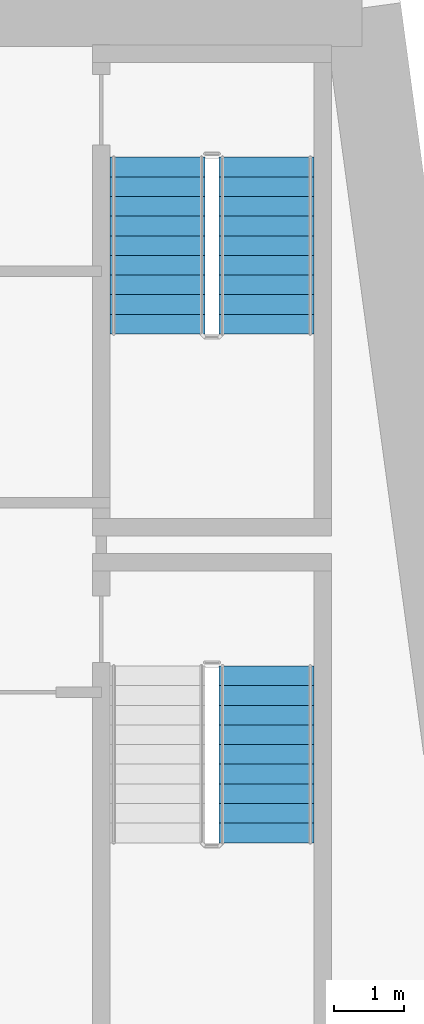
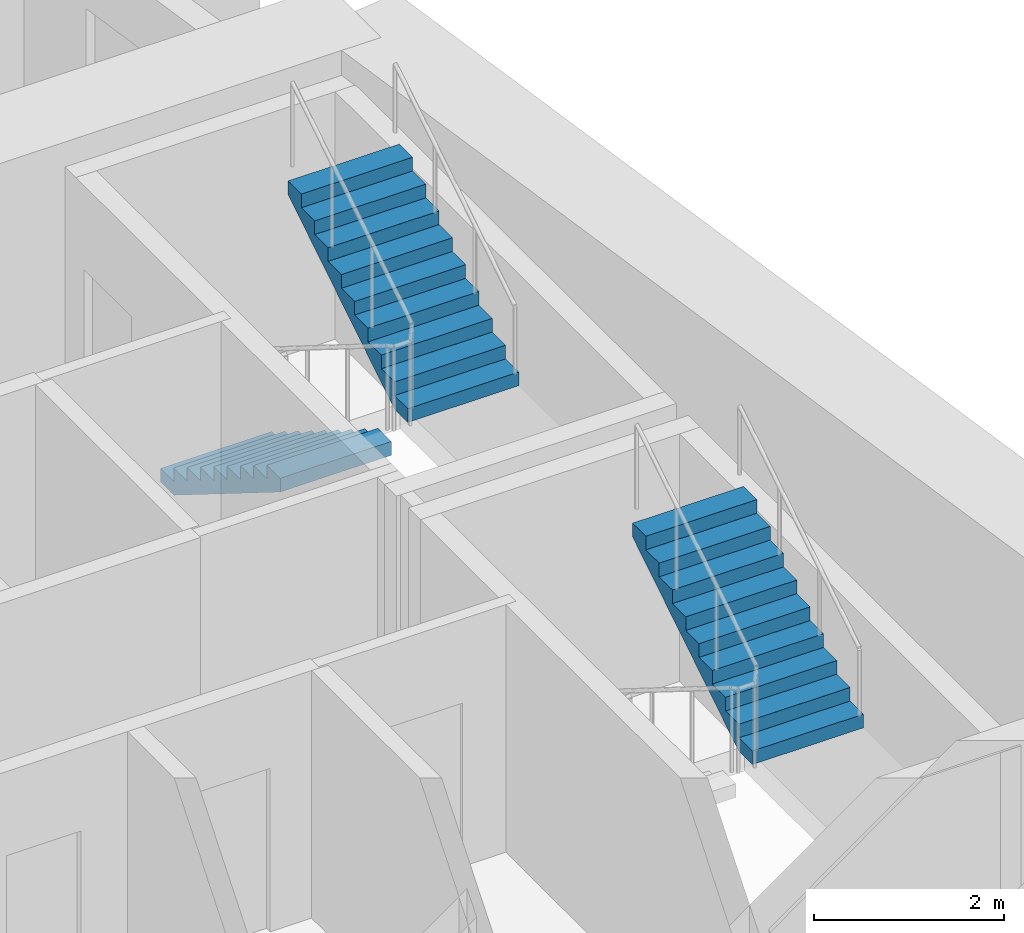
# One storey, part 8 of 13: 3 stair flights, 2 elements without a shape of their own.
"""IFC4 building model written with IfcOpenShell, lengths in metres."""

import ifcopenshell
import ifcopenshell.guid

model = None  # the IFC model being written
_history = None  # IfcOwnerHistory: only IFC2X3 demands one
_inside = {}  # id of a spatial element -> (the spatial element, [elements in it])
_under = {}  # id of a project, library or spatial element -> (it, [spatial elements below it])
_declared = {}  # id of a project -> (the project, [libraries it declares])
_typed = {}  # id of a type object -> (the type object, [elements of that type])
_made_of = {}  # id of a material, layer set ... -> (it, [elements and type objects made of it])


def new_model(schema):
    """Start an empty IFC model of exactly this schema.

    Asked for "IFC4X3", IfcOpenShell would pick the latest addendum, in which some entities
    have other attributes; the version numbers below select the first issue.
    IFC2X3 requires an IfcOwnerHistory on every rooted entity: one is made here for all.
    """
    global model, _history
    if schema == "IFC4X3":
        model = ifcopenshell.file(schema_version=(4, 3, 0, 0))
    else:
        model = ifcopenshell.file(schema=schema)
    _inside.clear()
    _under.clear()
    _declared.clear()
    _typed.clear()
    _made_of.clear()
    _history = None
    if model.schema == "IFC2X3":
        org = make("IfcOrganization", Name="unknown")
        user = make(
            "IfcPersonAndOrganization",
            ThePerson=make("IfcPerson", FamilyName="unknown"),
            TheOrganization=org,
        )
        app = make(
            "IfcApplication",
            ApplicationDeveloper=org,
            Version="unknown",
            ApplicationFullName="unknown",
            ApplicationIdentifier="unknown",
        )
        _history = make(
            "IfcOwnerHistory",
            OwningUser=user,
            OwningApplication=app,
            ChangeAction="ADDED",
            CreationDate=0,
        )
    return model


def make(cls, **values):
    """One entity of the class cls with the attributes given. An attribute that is None is left unset."""
    return model.create_entity(
        cls, **{name: value for name, value in values.items() if value is not None}
    )


def rooted(cls, **values):
    """An entity with a GlobalId (a new one), such as an element, a storey or a relation."""
    return make(cls, GlobalId=ifcopenshell.guid.new(), OwnerHistory=_history, **values)


def si_unit(unit_type, name, prefix=None):
    """IfcSIUnit, for example si_unit("LENGTHUNIT", "METRE", prefix="MILLI")."""
    return make("IfcSIUnit", UnitType=unit_type, Prefix=prefix, Name=name)


def assignment(units):
    """IfcUnitAssignment: the units of a project."""
    return None if units is None else make("IfcUnitAssignment", Units=units)


def point(xyz):
    """IfcCartesianPoint."""
    return None if xyz is None else make("IfcCartesianPoint", Coordinates=xyz)


def direction(xyz):
    """IfcDirection."""
    return None if xyz is None else make("IfcDirection", DirectionRatios=xyz)


def frame(location, z_axis=None, x_axis=None):
    """IfcAxis2Placement3D, a coordinate frame: its origin and axes. An axis left out is left unset."""
    return make(
        "IfcAxis2Placement3D",
        Location=point(location),
        Axis=direction(z_axis),
        RefDirection=direction(x_axis),
    )


def origin():
    """The frame at (0, 0, 0) with its axes left unset."""
    return frame((0.0, 0.0, 0.0))


def place(relative_to, where):
    """IfcLocalPlacement: puts the frame where relative to a parent placement (None: the world)."""
    return make(
        "IfcLocalPlacement", PlacementRelTo=relative_to, RelativePlacement=where
    )


def context(
    kind, dimensions, precision=None, world=None, true_north=None, identifier=None
):
    """IfcGeometricRepresentationContext, for example the 3D "Model" context."""
    return make(
        "IfcGeometricRepresentationContext",
        ContextIdentifier=identifier,
        ContextType=kind,
        CoordinateSpaceDimension=dimensions,
        Precision=precision,
        WorldCoordinateSystem=world,
        TrueNorth=true_north,
    )


def subcontext(parent, identifier, kind, view, scale=None):
    """IfcGeometricRepresentationSubContext, for example "Body" below "Model"."""
    return make(
        "IfcGeometricRepresentationSubContext",
        ContextIdentifier=identifier,
        ContextType=kind,
        ParentContext=parent,
        TargetScale=scale,
        TargetView=view,
    )


def project(units=None, contexts=None):
    """IfcProject with its units and contexts."""
    return rooted(
        "IfcProject",
        Name="project",
        RepresentationContexts=contexts,
        UnitsInContext=assignment(units),
    )


def spatial(cls, under=None, at=None, **own):
    """A site, building, storey or space (cls), placed at a placement, below another one or the project."""
    s = rooted(cls, ObjectPlacement=at, **own)
    if under is not None:
        _under.setdefault(under.id(), (under, []))[1].append(s)
    return s


def polyline(points):
    """IfcPolyline through the points."""
    return make("IfcPolyline", Points=[point(p) for p in points])


def outline(outer, holes=None, kind="AREA"):
    """IfcArbitraryClosedProfileDef: a profile drawn as a closed curve; with holes, ...WithVoids."""
    if holes is None:
        return make("IfcArbitraryClosedProfileDef", ProfileType=kind, OuterCurve=outer)
    return make(
        "IfcArbitraryProfileDefWithVoids",
        ProfileType=kind,
        OuterCurve=outer,
        InnerCurves=holes,
    )


def extrude(swept, where, along, depth):
    """IfcExtrudedAreaSolid: the profile swept, set in the frame where, extruded along a direction by depth."""
    return make(
        "IfcExtrudedAreaSolid",
        SweptArea=swept,
        Position=where,
        ExtrudedDirection=direction(along),
        Depth=depth,
    )


def shape(context_of_items, identifier, shape_type, items):
    """IfcShapeRepresentation: the items that make up one representation, for example the "Body"."""
    return make(
        "IfcShapeRepresentation",
        ContextOfItems=context_of_items,
        RepresentationIdentifier=identifier,
        RepresentationType=shape_type,
        Items=items,
    )


def material(Name=None, Category=None):
    """IfcMaterial."""
    return make("IfcMaterial", Name=Name, Category=Category)


def made_of(thing, what):
    """Note that an element or type object is made of a material, layer set ...; save() writes the relation."""
    if what is not None:
        _made_of.setdefault(what.id(), (what, []))[1].append(thing)
    return thing


def type_object(cls, material=None, **own):
    """A type object (cls), such as IfcWallType, which elements share."""
    return made_of(rooted(cls, **own), material)


def element(
    cls,
    number,
    at=None,
    inside=None,
    cuts=None,
    type_object=None,
    material=None,
    context=None,
    identifier="Body",
    shape_type=None,
    held_by="IfcProductDefinitionShape",
    body=None,
    shapes=None,
    **own,
):
    """One element of the class cls, such as IfcWall. Its Tag is "e" and its number.

    at: its placement. inside: the storey or other place that contains it. cuts: it is an
    opening in that element (IfcRelVoidsElement). A single representation is given by context,
    identifier, shape_type and body (its items); several are given by shapes. held_by: the class
    of the entity that holds the representations. save() writes the other relations.
    """
    e = rooted(cls, Tag="e%d" % number, ObjectPlacement=at, **own)
    if body is not None:
        shapes = [shape(context, identifier, shape_type, body)]
    if shapes is not None:
        e.Representation = make(held_by, Representations=shapes)
    if inside is not None:
        _inside.setdefault(inside.id(), (inside, []))[1].append(e)
    if cuts is not None:
        rooted(
            "IfcRelVoidsElement", RelatingBuildingElement=cuts, RelatedOpeningElement=e
        )
    if type_object is not None:
        _typed.setdefault(type_object.id(), (type_object, []))[1].append(e)
    return made_of(e, material)


def aggregate(whole, parts):
    """IfcRelAggregates: a whole, such as a stair, and the parts it consists of."""
    return rooted("IfcRelAggregates", RelatingObject=whole, RelatedObjects=parts)


def save(model, path):
    """Write the relations noted so far, then the file.

    IfcRelAggregates (storeys below a building ...), IfcRelContainedInSpatialStructure (elements
    in a storey), IfcRelDefinesByType, IfcRelAssociatesMaterial and IfcRelDeclares: one each for
    every whole, place, type object, material and project.
    """
    for whole, parts in _under.values():
        aggregate(whole, parts)
    for where, things in _inside.values():
        rooted(
            "IfcRelContainedInSpatialStructure",
            RelatedElements=things,
            RelatingStructure=where,
        )
    for kind, things in _typed.values():
        rooted("IfcRelDefinesByType", RelatedObjects=things, RelatingType=kind)
    for what, things in _made_of.values():
        rooted("IfcRelAssociatesMaterial", RelatedObjects=things, RelatingMaterial=what)
    for by, libraries in _declared.values():
        rooted("IfcRelDeclares", RelatingContext=by, RelatedDefinitions=libraries)
    model.write(path)


model = new_model("IFC4")

# Units and contexts
model_context = context("Model", 3, precision=1e-05, world=origin(), true_north=direction((0.0, 1.0)))
body_context = subcontext(model_context, "Body", "Model", "MODEL_VIEW")
ifc_project = project(units=[si_unit("LENGTHUNIT", "METRE"), si_unit("AREAUNIT", "SQUARE_METRE"), si_unit("VOLUMEUNIT", "CUBIC_METRE"), si_unit("PLANEANGLEUNIT", "RADIAN"), si_unit("MASSUNIT", "GRAM", prefix="KILO")], contexts=[model_context])

# Site, building, storey
site_placement = place(None, origin())
site = spatial("IfcSite", under=ifc_project, at=site_placement, CompositionType="ELEMENT")
building_placement = place(site_placement, origin())
building = spatial("IfcBuilding", under=site, at=building_placement, Name="Candeia Pilgrim Tower and Theatre", CompositionType="ELEMENT")
storey_placement = place(building_placement, frame((0.0, 0.0, 67.0)))
storey = spatial("IfcBuildingStorey", under=building, at=storey_placement, Name="L14", CompositionType="ELEMENT", Elevation=67.0)

# Stair, stair flight
ifc_material = material(Name="Concrete C40/50", Category="concrete")
stair_type = type_object("IfcStairType", Name="ST-TWR dog-leg escape stair", PredefinedType="HALF_TURN_STAIR", material=ifc_material)
stair_1_placement = place(storey_placement, origin())
stair_1 = element("IfcStair", 1, at=stair_1_placement, inside=storey, type_object=stair_type, Name="L14 Escape stair ST3", PredefinedType="HALF_TURN_STAIR")
stair_flight_type = type_object("IfcStairFlightType", Name="SFL-RC stair flight", PredefinedType="STRAIGHT", material=ifc_material)
stair_flight_1_placement = place(storey_placement, frame((136.322998046875, 119.955078125, 1.75), z_axis=(0.0, 0.0, 1.0), x_axis=(0.0, 1.0, 0.0)))
stair_flight_1 = element("IfcStairFlight", 2, at=stair_flight_1_placement, type_object=stair_flight_type, Name="ST3 flight 2", NumberOfRisers=10, NumberOfTreads=9, PredefinedType="STRAIGHT", RiserHeight=0.175, TreadLength=0.28, context=body_context, shape_type="SweptSolid", body=[
    extrude(outline(polyline([(0.0, 0.0), (0.0, 0.175048828125), (0.280029296875, 0.175048828125), (0.280029296875, 0.35009765625), (0.56005859375, 0.35009765625), (0.56005859375, 0.52490234375), (0.840087890625, 0.52490234375), (0.840087890625, 0.699951171875), (1.1201171875, 0.699951171875), (1.1201171875, 0.875), (1.39990234375, 0.875), (1.39990234375, 1.050048828125), (1.679931640625, 1.050048828125), (1.679931640625, 1.22509765625), (1.9599609375, 1.22509765625), (1.9599609375, 1.39990234375), (2.239990234375, 1.39990234375), (2.239990234375, 1.574951171875), (2.52001953125, 1.574951171875), (2.52001953125, 1.75), (2.52001953125, 1.398193359375), (0.28271484375, 0.0), (0.0, 0.0)])), frame((0.0, 0.675048828125, 0.0), z_axis=(0.0, -1.0, 0.0), x_axis=(1.0, 0.0, 0.0)), (0.0, 0.0, 1.0), 1.35009765625),
])
aggregate(stair_1, [stair_flight_1])

# Stair, stair flights
stair_2_placement = place(storey_placement, origin())
stair_2 = element("IfcStair", 3, at=stair_2_placement, inside=storey, type_object=stair_type, Name="L14 Escape stair ST4", PredefinedType="HALF_TURN_STAIR")
stair_flight_2_placement = place(storey_placement, frame((134.77294921875, 129.72509765625, 0.0), z_axis=(0.0, 0.0, 1.0), x_axis=(0.0, -1.0, 0.0)))
stair_flight_2 = element("IfcStairFlight", 4, at=stair_flight_2_placement, type_object=stair_flight_type, Name="ST4 flight 1", NumberOfRisers=10, NumberOfTreads=9, PredefinedType="STRAIGHT", RiserHeight=0.175, TreadLength=0.28, context=body_context, shape_type="SweptSolid", body=[
    extrude(outline(polyline([(0.0, 0.0), (0.0, 0.175048828125), (0.280029296875, 0.175048828125), (0.280029296875, 0.35009765625), (0.56005859375, 0.35009765625), (0.56005859375, 0.52490234375), (0.840087890625, 0.52490234375), (0.840087890625, 0.699951171875), (1.1201171875, 0.699951171875), (1.1201171875, 0.875), (1.39990234375, 0.875), (1.39990234375, 1.050048828125), (1.679931640625, 1.050048828125), (1.679931640625, 1.22509765625), (1.9599609375, 1.22509765625), (1.9599609375, 1.39990234375), (2.239990234375, 1.39990234375), (2.239990234375, 1.574951171875), (2.52001953125, 1.574951171875), (2.52001953125, 1.75), (2.52001953125, 1.398193359375), (0.28271484375, 0.0), (0.0, 0.0)])), frame((0.0, 0.675048828125, 0.0), z_axis=(0.0, -1.0, 0.0), x_axis=(1.0, 0.0, 0.0)), (0.0, 0.0, 1.0), 1.35009765625),
])
stair_flight_3_placement = place(storey_placement, frame((136.322998046875, 127.205078125, 1.75), z_axis=(0.0, 0.0, 1.0), x_axis=(0.0, 1.0, 0.0)))
stair_flight_3 = element("IfcStairFlight", 5, at=stair_flight_3_placement, type_object=stair_flight_type, Name="ST4 flight 2", NumberOfRisers=10, NumberOfTreads=9, PredefinedType="STRAIGHT", RiserHeight=0.175, TreadLength=0.28, context=body_context, shape_type="SweptSolid", body=[
    extrude(outline(polyline([(0.0, 0.0), (0.0, 0.175048828125), (0.280029296875, 0.175048828125), (0.280029296875, 0.35009765625), (0.56005859375, 0.35009765625), (0.56005859375, 0.52490234375), (0.840087890625, 0.52490234375), (0.840087890625, 0.699951171875), (1.1201171875, 0.699951171875), (1.1201171875, 0.875), (1.39990234375, 0.875), (1.39990234375, 1.050048828125), (1.679931640625, 1.050048828125), (1.679931640625, 1.22509765625), (1.9599609375, 1.22509765625), (1.9599609375, 1.39990234375), (2.239990234375, 1.39990234375), (2.239990234375, 1.574951171875), (2.52001953125, 1.574951171875), (2.52001953125, 1.75), (2.52001953125, 1.398193359375), (0.28271484375, 0.0), (0.0, 0.0)])), frame((0.0, 0.675048828125, 0.0), z_axis=(0.0, -1.0, 0.0), x_axis=(1.0, 0.0, 0.0)), (0.0, 0.0, 1.0), 1.35009765625),
])
aggregate(stair_2, [stair_flight_2, stair_flight_3])

save(model, "model.ifc")
